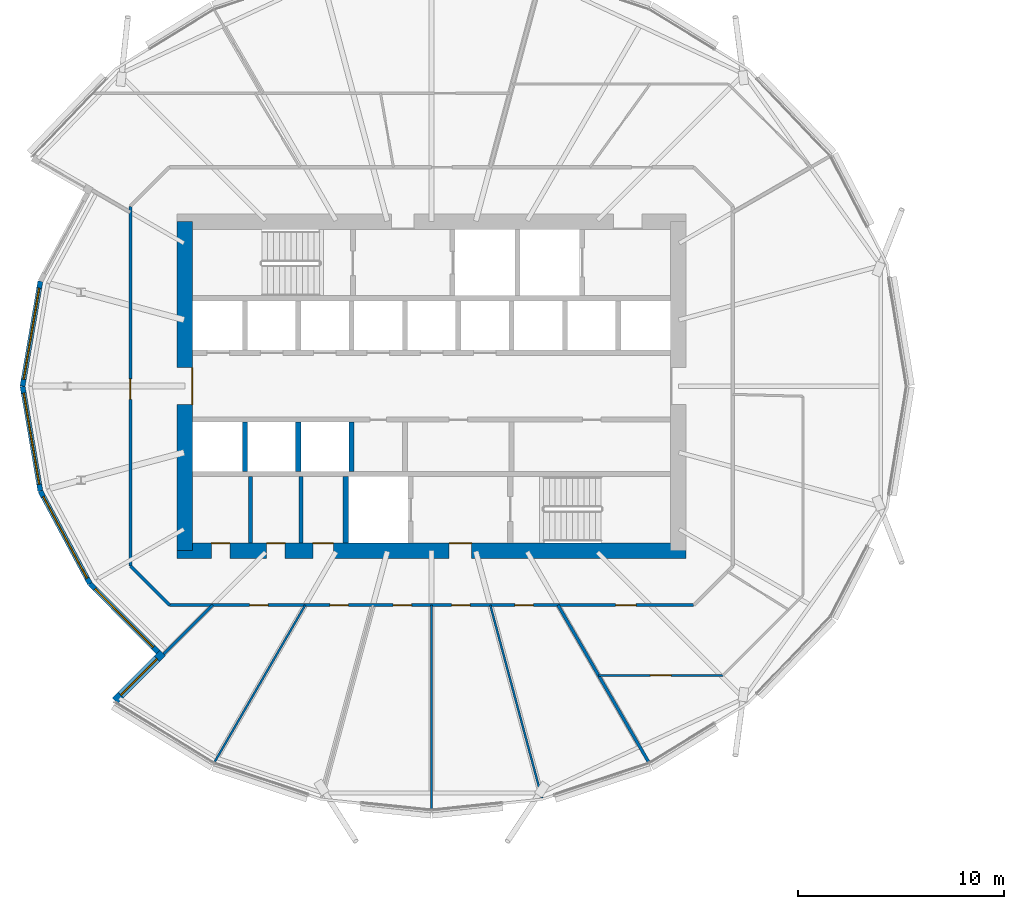
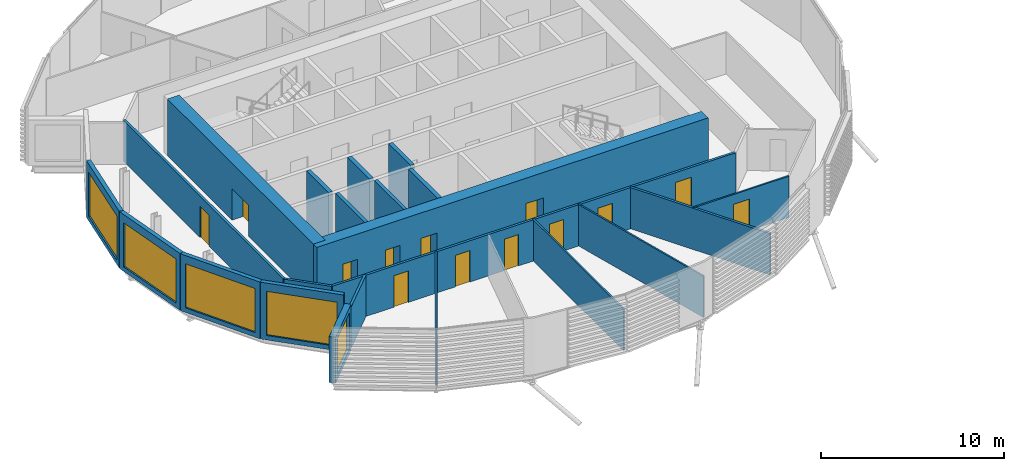
# One storey, part 20 of 38: 22 walls, 13 doors, 5 windows, 18 openings.
"""IFC4 building model written with IfcOpenShell, lengths in metres."""

import ifcopenshell
import ifcopenshell.guid

model = None  # the IFC model being written
_history = None  # IfcOwnerHistory: only IFC2X3 demands one
_inside = {}  # id of a spatial element -> (the spatial element, [elements in it])
_under = {}  # id of a project, library or spatial element -> (it, [spatial elements below it])
_declared = {}  # id of a project -> (the project, [libraries it declares])
_typed = {}  # id of a type object -> (the type object, [elements of that type])
_made_of = {}  # id of a material, layer set ... -> (it, [elements and type objects made of it])


def new_model(schema):
    """Start an empty IFC model of exactly this schema.

    Asked for "IFC4X3", IfcOpenShell would pick the latest addendum, in which some entities
    have other attributes; the version numbers below select the first issue.
    IFC2X3 requires an IfcOwnerHistory on every rooted entity: one is made here for all.
    """
    global model, _history
    if schema == "IFC4X3":
        model = ifcopenshell.file(schema_version=(4, 3, 0, 0))
    else:
        model = ifcopenshell.file(schema=schema)
    _inside.clear()
    _under.clear()
    _declared.clear()
    _typed.clear()
    _made_of.clear()
    _history = None
    if model.schema == "IFC2X3":
        org = make("IfcOrganization", Name="unknown")
        user = make(
            "IfcPersonAndOrganization",
            ThePerson=make("IfcPerson", FamilyName="unknown"),
            TheOrganization=org,
        )
        app = make(
            "IfcApplication",
            ApplicationDeveloper=org,
            Version="unknown",
            ApplicationFullName="unknown",
            ApplicationIdentifier="unknown",
        )
        _history = make(
            "IfcOwnerHistory",
            OwningUser=user,
            OwningApplication=app,
            ChangeAction="ADDED",
            CreationDate=0,
        )
    return model


def make(cls, **values):
    """One entity of the class cls with the attributes given. An attribute that is None is left unset."""
    return model.create_entity(
        cls, **{name: value for name, value in values.items() if value is not None}
    )


def rooted(cls, **values):
    """An entity with a GlobalId (a new one), such as an element, a storey or a relation."""
    return make(cls, GlobalId=ifcopenshell.guid.new(), OwnerHistory=_history, **values)


def si_unit(unit_type, name, prefix=None):
    """IfcSIUnit, for example si_unit("LENGTHUNIT", "METRE", prefix="MILLI")."""
    return make("IfcSIUnit", UnitType=unit_type, Prefix=prefix, Name=name)


def assignment(units):
    """IfcUnitAssignment: the units of a project."""
    return None if units is None else make("IfcUnitAssignment", Units=units)


def point(xyz):
    """IfcCartesianPoint."""
    return None if xyz is None else make("IfcCartesianPoint", Coordinates=xyz)


def direction(xyz):
    """IfcDirection."""
    return None if xyz is None else make("IfcDirection", DirectionRatios=xyz)


def frame(location, z_axis=None, x_axis=None):
    """IfcAxis2Placement3D, a coordinate frame: its origin and axes. An axis left out is left unset."""
    return make(
        "IfcAxis2Placement3D",
        Location=point(location),
        Axis=direction(z_axis),
        RefDirection=direction(x_axis),
    )


def frame_2d(location, x_axis=None):
    """IfcAxis2Placement2D, a coordinate frame in the plane: its origin and x axis."""
    return make(
        "IfcAxis2Placement2D", Location=point(location), RefDirection=direction(x_axis)
    )


def origin():
    """The frame at (0, 0, 0) with its axes left unset."""
    return frame((0.0, 0.0, 0.0))


def place(relative_to, where):
    """IfcLocalPlacement: puts the frame where relative to a parent placement (None: the world)."""
    return make(
        "IfcLocalPlacement", PlacementRelTo=relative_to, RelativePlacement=where
    )


def context(
    kind, dimensions, precision=None, world=None, true_north=None, identifier=None
):
    """IfcGeometricRepresentationContext, for example the 3D "Model" context."""
    return make(
        "IfcGeometricRepresentationContext",
        ContextIdentifier=identifier,
        ContextType=kind,
        CoordinateSpaceDimension=dimensions,
        Precision=precision,
        WorldCoordinateSystem=world,
        TrueNorth=true_north,
    )


def subcontext(parent, identifier, kind, view, scale=None):
    """IfcGeometricRepresentationSubContext, for example "Body" below "Model"."""
    return make(
        "IfcGeometricRepresentationSubContext",
        ContextIdentifier=identifier,
        ContextType=kind,
        ParentContext=parent,
        TargetScale=scale,
        TargetView=view,
    )


def project(units=None, contexts=None):
    """IfcProject with its units and contexts."""
    return rooted(
        "IfcProject",
        Name="project",
        RepresentationContexts=contexts,
        UnitsInContext=assignment(units),
    )


def spatial(cls, under=None, at=None, **own):
    """A site, building, storey or space (cls), placed at a placement, below another one or the project."""
    s = rooted(cls, ObjectPlacement=at, **own)
    if under is not None:
        _under.setdefault(under.id(), (under, []))[1].append(s)
    return s


def profile(cls, at=None, kind="AREA", **sizes):
    """A parametric profile (cls). Its sizes go by their IFC names, for example OverallWidth=200.0."""
    return make(cls, ProfileType=kind, Position=at, **sizes)


def rectangle(**sizes):
    """IfcRectangleProfileDef."""
    return profile("IfcRectangleProfileDef", **sizes)


def extrude(swept, where, along, depth):
    """IfcExtrudedAreaSolid: the profile swept, set in the frame where, extruded along a direction by depth."""
    return make(
        "IfcExtrudedAreaSolid",
        SweptArea=swept,
        Position=where,
        ExtrudedDirection=direction(along),
        Depth=depth,
    )


def shape(context_of_items, identifier, shape_type, items):
    """IfcShapeRepresentation: the items that make up one representation, for example the "Body"."""
    return make(
        "IfcShapeRepresentation",
        ContextOfItems=context_of_items,
        RepresentationIdentifier=identifier,
        RepresentationType=shape_type,
        Items=items,
    )


def material(Name=None, Category=None):
    """IfcMaterial."""
    return make("IfcMaterial", Name=Name, Category=Category)


def layer(
    of_material, thickness, ventilated=None, Name=None, Category=None, Priority=None
):
    """IfcMaterialLayer: one layer of a wall or slab, of a material (None: an air gap)."""
    return make(
        "IfcMaterialLayer",
        Material=of_material,
        LayerThickness=thickness,
        IsVentilated=ventilated,
        Name=Name,
        Category=Category,
        Priority=Priority,
    )


def layer_set(layers, Name=None):
    """IfcMaterialLayerSet."""
    return make("IfcMaterialLayerSet", MaterialLayers=layers, LayerSetName=Name)


def made_of(thing, what):
    """Note that an element or type object is made of a material, layer set ...; save() writes the relation."""
    if what is not None:
        _made_of.setdefault(what.id(), (what, []))[1].append(thing)
    return thing


def type_object(cls, material=None, **own):
    """A type object (cls), such as IfcWallType, which elements share."""
    return made_of(rooted(cls, **own), material)


def element(
    cls,
    number,
    at=None,
    inside=None,
    cuts=None,
    type_object=None,
    material=None,
    context=None,
    identifier="Body",
    shape_type=None,
    held_by="IfcProductDefinitionShape",
    body=None,
    shapes=None,
    **own,
):
    """One element of the class cls, such as IfcWall. Its Tag is "e" and its number.

    at: its placement. inside: the storey or other place that contains it. cuts: it is an
    opening in that element (IfcRelVoidsElement). A single representation is given by context,
    identifier, shape_type and body (its items); several are given by shapes. held_by: the class
    of the entity that holds the representations. save() writes the other relations.
    """
    e = rooted(cls, Tag="e%d" % number, ObjectPlacement=at, **own)
    if body is not None:
        shapes = [shape(context, identifier, shape_type, body)]
    if shapes is not None:
        e.Representation = make(held_by, Representations=shapes)
    if inside is not None:
        _inside.setdefault(inside.id(), (inside, []))[1].append(e)
    if cuts is not None:
        rooted(
            "IfcRelVoidsElement", RelatingBuildingElement=cuts, RelatedOpeningElement=e
        )
    if type_object is not None:
        _typed.setdefault(type_object.id(), (type_object, []))[1].append(e)
    return made_of(e, material)


def fill(opening, filler):
    """IfcRelFillsElement: the door or window that sits in an opening."""
    return rooted(
        "IfcRelFillsElement",
        RelatingOpeningElement=opening,
        RelatedBuildingElement=filler,
    )


def aggregate(whole, parts):
    """IfcRelAggregates: a whole, such as a stair, and the parts it consists of."""
    return rooted("IfcRelAggregates", RelatingObject=whole, RelatedObjects=parts)


def save(model, path):
    """Write the relations noted so far, then the file.

    IfcRelAggregates (storeys below a building ...), IfcRelContainedInSpatialStructure (elements
    in a storey), IfcRelDefinesByType, IfcRelAssociatesMaterial and IfcRelDeclares: one each for
    every whole, place, type object, material and project.
    """
    for whole, parts in _under.values():
        aggregate(whole, parts)
    for where, things in _inside.values():
        rooted(
            "IfcRelContainedInSpatialStructure",
            RelatedElements=things,
            RelatingStructure=where,
        )
    for kind, things in _typed.values():
        rooted("IfcRelDefinesByType", RelatedObjects=things, RelatingType=kind)
    for what, things in _made_of.values():
        rooted("IfcRelAssociatesMaterial", RelatedObjects=things, RelatingMaterial=what)
    for by, libraries in _declared.values():
        rooted("IfcRelDeclares", RelatingContext=by, RelatedDefinitions=libraries)
    model.write(path)


model = new_model("IFC4")

# Units and contexts
model_context = context("Model", 3, precision=1e-05, world=origin(), true_north=direction((0.0, 1.0)))
body_context = subcontext(model_context, "Body", "Model", "MODEL_VIEW")
ifc_project = project(units=[si_unit("LENGTHUNIT", "METRE"), si_unit("AREAUNIT", "SQUARE_METRE"), si_unit("VOLUMEUNIT", "CUBIC_METRE"), si_unit("PLANEANGLEUNIT", "RADIAN"), si_unit("MASSUNIT", "GRAM", prefix="KILO")], contexts=[model_context])

# Site, building, storey
site_placement = place(None, origin())
site = spatial("IfcSite", under=ifc_project, at=site_placement, CompositionType="ELEMENT")
building_placement = place(site_placement, origin())
building = spatial("IfcBuilding", under=site, at=building_placement, Name="Rimbun Link Towers", CompositionType="ELEMENT")
storey_placement = place(building_placement, frame((0.0, 0.0, 123.39990234375)))
storey = spatial("IfcBuildingStorey", under=building, at=storey_placement, Name="L30", CompositionType="ELEMENT", Elevation=123.39990234375)

# Wall, opening, window
ifc_material_1 = material(Name="Dark enamelled glass spandrel on insulated aluminium backpan", Category="aluminium")
ifc_layer_1 = layer(ifc_material_1, 0.25)
ifc_layer_set_1 = layer_set([ifc_layer_1], Name="CS dark enamelled spandrel wall 250")
wall_type_1 = type_object("IfcWallType", Name="CS dark enamelled spandrel wall 250", PredefinedType="STANDARD", material=ifc_layer_set_1)
wall_1_placement = place(storey_placement, frame((-51.647705078125, 0.0, 0.0), z_axis=(0.0, 0.0, 1.0), x_axis=(0.167561603855, 0.985861607384, 0.0)))
wall_1 = element("IfcWall", 1, at=wall_1_placement, inside=storey, type_object=wall_type_1, Name="Crease spandrel wall", PredefinedType="STANDARD", context=body_context, shape_type="SweptSolid", body=[
    extrude(rectangle(XDim=5.18115234375, YDim=0.25, at=frame_2d((2.590576171875, 0.0))), origin(), (0.0, 0.0, 1.0), 3.800048828125),
])
opening_1_placement = place(wall_1_placement, frame((0.340576171875, 0.0, 0.300048828125)))
opening_1 = element("IfcOpeningElement", 2, at=opening_1_placement, cuts=wall_1, Name="Opening WR45H295", PredefinedType="OPENING", context=body_context, shape_type="SweptSolid", body=[
    extrude(rectangle(XDim=4.5, YDim=2.949951171875, at=frame_2d((2.25, 1.47509765625))), frame((0.0, 0.135009765625, 0.0), z_axis=(0.0, -1.0, 0.0), x_axis=(1.0, 0.0, 0.0)), (0.0, 0.0, 1.0), 0.27001953125),
])
ifc_material_2 = material(Name="Aluminium framed fixed window, dark tinted low-e glass", Category="aluminium")
window_type_1 = type_object("IfcWindowType", Name="WR ribbon window 4500X2950", PartitioningType="SINGLE_PANEL", PredefinedType="WINDOW", material=ifc_material_2)
window_1_placement = place(opening_1_placement, origin())
window_1 = element("IfcWindow", 3, at=window_1_placement, inside=storey, type_object=window_type_1, Name="Crease ribbon window", OverallHeight=2.949951171875, OverallWidth=4.5, PartitioningType="SINGLE_PANEL", PredefinedType="WINDOW", context=body_context, shape_type="SweptSolid", body=[
    extrude(rectangle(XDim=4.5, YDim=2.949951171875, at=frame_2d((2.25, 1.47509765625))), frame((0.0, 0.030029296875, 0.0), z_axis=(0.0, -1.0, 0.0), x_axis=(1.0, 0.0, 0.0)), (0.0, 0.0, 1.0), 0.06005859375),
])
fill(opening_1, window_1)

wall_2_placement = place(storey_placement, frame((-50.779541015625, -5.10791015625, 0.0), z_axis=(0.0, 0.0, 1.0), x_axis=(-0.167561603855, 0.985861607384, 0.0)))
wall_2 = element("IfcWall", 4, at=wall_2_placement, inside=storey, type_object=wall_type_1, Name="Crease spandrel wall", PredefinedType="STANDARD", context=body_context, shape_type="SweptSolid", body=[
    extrude(rectangle(XDim=5.18115234375, YDim=0.25, at=frame_2d((2.590576171875, 0.0))), origin(), (0.0, 0.0, 1.0), 3.800048828125),
])
opening_2_placement = place(wall_2_placement, frame((0.340576171875, 0.0, 0.300048828125)))
opening_2 = element("IfcOpeningElement", 5, at=opening_2_placement, cuts=wall_2, Name="Opening WR45H295", PredefinedType="OPENING", context=body_context, shape_type="SweptSolid", body=[
    extrude(rectangle(XDim=4.5, YDim=2.949951171875, at=frame_2d((2.25, 1.47509765625))), frame((0.0, 0.135009765625, 0.0), z_axis=(0.0, -1.0, 0.0), x_axis=(1.0, 0.0, 0.0)), (0.0, 0.0, 1.0), 0.27001953125),
])
window_2_placement = place(opening_2_placement, origin())
window_2 = element("IfcWindow", 6, at=window_2_placement, inside=storey, type_object=window_type_1, Name="Crease ribbon window", OverallHeight=2.949951171875, OverallWidth=4.5, PartitioningType="SINGLE_PANEL", PredefinedType="WINDOW", context=body_context, shape_type="SweptSolid", body=[
    extrude(rectangle(XDim=4.5, YDim=2.949951171875, at=frame_2d((2.25, 1.47509765625))), frame((0.0, 0.030029296875, 0.0), z_axis=(0.0, -1.0, 0.0), x_axis=(1.0, 0.0, 0.0)), (0.0, 0.0, 1.0), 0.06005859375),
])
fill(opening_2, window_2)

wall_3_placement = place(storey_placement, frame((-48.3671875, -9.610595703125, 0.0), z_axis=(0.0, 0.0, 1.0), x_axis=(-0.472251916987, 0.881463627668, 0.0)))
wall_3 = element("IfcWall", 7, at=wall_3_placement, inside=storey, type_object=wall_type_1, Name="Crease spandrel wall", PredefinedType="STANDARD", context=body_context, shape_type="SweptSolid", body=[
    extrude(rectangle(XDim=5.108154296875, YDim=0.25, at=frame_2d((2.55419921875, 0.0))), origin(), (0.0, 0.0, 1.0), 3.800048828125),
])
opening_3_placement = place(wall_3_placement, frame((0.303955078125, 0.0, 0.300048828125)))
opening_3 = element("IfcOpeningElement", 8, at=opening_3_placement, cuts=wall_3, Name="Opening WR45H295", PredefinedType="OPENING", context=body_context, shape_type="SweptSolid", body=[
    extrude(rectangle(XDim=4.5, YDim=2.949951171875, at=frame_2d((2.25, 1.47509765625))), frame((0.0, 0.135009765625, 0.0), z_axis=(0.0, -1.0, 0.0), x_axis=(1.0, 0.0, 0.0)), (0.0, 0.0, 1.0), 0.27001953125),
])
window_3_placement = place(opening_3_placement, origin())
window_3 = element("IfcWindow", 9, at=window_3_placement, inside=storey, type_object=window_type_1, Name="Crease ribbon window", OverallHeight=2.949951171875, OverallWidth=4.5, PartitioningType="SINGLE_PANEL", PredefinedType="WINDOW", context=body_context, shape_type="SweptSolid", body=[
    extrude(rectangle(XDim=4.5, YDim=2.949951171875, at=frame_2d((2.25, 1.47509765625))), frame((0.0, 0.030029296875, 0.0), z_axis=(0.0, -1.0, 0.0), x_axis=(1.0, 0.0, 0.0)), (0.0, 0.0, 1.0), 0.06005859375),
])
fill(opening_3, window_3)

wall_4_placement = place(storey_placement, frame((-45.047119140625, -12.943359375, 0.0), z_axis=(0.0, 0.0, 1.0), x_axis=(-0.705756154821, 0.708454832669, 0.0)))
wall_4 = element("IfcWall", 10, at=wall_4_placement, inside=storey, type_object=wall_type_1, Name="Crease spandrel wall", PredefinedType="STANDARD", context=body_context, shape_type="SweptSolid", body=[
    extrude(rectangle(XDim=4.704345703125, YDim=0.25, at=frame_2d((2.35205078125, 0.0))), origin(), (0.0, 0.0, 1.0), 3.800048828125),
])
opening_4_placement = place(wall_4_placement, frame((0.352294921875, 0.0, 0.300048828125)))
opening_4 = element("IfcOpeningElement", 11, at=opening_4_placement, cuts=wall_4, Name="Opening WR40H295", PredefinedType="OPENING", context=body_context, shape_type="SweptSolid", body=[
    extrude(rectangle(XDim=4.0, YDim=2.949951171875, at=frame_2d((2.0, 1.47509765625))), frame((0.0, 0.135009765625, 0.0), z_axis=(0.0, -1.0, 0.0), x_axis=(1.0, 0.0, 0.0)), (0.0, 0.0, 1.0), 0.27001953125),
])
ifc_material_3 = material(Name="Aluminium framed fixed window, dark tinted low-e glass", Category="aluminium")
window_type_2 = type_object("IfcWindowType", Name="WR ribbon window 4000X2950", PartitioningType="SINGLE_PANEL", PredefinedType="WINDOW", material=ifc_material_3)
window_4_placement = place(opening_4_placement, origin())
window_4 = element("IfcWindow", 12, at=window_4_placement, inside=storey, type_object=window_type_2, Name="Crease ribbon window", OverallHeight=2.949951171875, OverallWidth=4.0, PartitioningType="SINGLE_PANEL", PredefinedType="WINDOW", context=body_context, shape_type="SweptSolid", body=[
    extrude(rectangle(XDim=4.0, YDim=2.949951171875, at=frame_2d((2.0, 1.47509765625))), frame((0.0, 0.030029296875, 0.0), z_axis=(0.0, -1.0, 0.0), x_axis=(1.0, 0.0, 0.0)), (0.0, 0.0, 1.0), 0.06005859375),
])
fill(opening_4, window_4)

ifc_material_4 = material(Name="Dark enamelled glass spandrel on insulated aluminium backpan", Category="aluminium")
ifc_layer_2 = layer(ifc_material_4, 0.3701171875)
ifc_layer_set_2 = layer_set([ifc_layer_2], Name="CS dark enamelled spandrel wall 370")
wall_type_2 = type_object("IfcWallType", Name="CS dark enamelled spandrel wall 370", PredefinedType="STANDARD", material=ifc_layer_set_2)
wall_5_placement = place(storey_placement, frame((-47.1474609375, -15.305419921875, 0.0), z_axis=(0.0, 0.0, 1.0), x_axis=(0.707143998312, 0.707069562102, 0.0)))
wall_5 = element("IfcWall", 13, at=wall_5_placement, inside=storey, type_object=wall_type_2, Name="Crease spandrel wall", PredefinedType="STANDARD", context=body_context, shape_type="SweptSolid", body=[
    extrude(rectangle(XDim=3.27978515625, YDim=0.3701171875, at=frame_2d((1.639892578125, 0.0))), origin(), (0.0, 0.0, 1.0), 3.0771484375),
])
opening_5_placement = place(wall_5_placement, frame((0.389892578125, 0.0, 0.300048828125)))
opening_5 = element("IfcOpeningElement", 14, at=opening_5_placement, cuts=wall_5, Name="Opening WR25H245", PredefinedType="OPENING", context=body_context, shape_type="SweptSolid", body=[
    extrude(rectangle(XDim=2.5, YDim=2.449951171875, at=frame_2d((1.25, 1.22509765625))), frame((0.0, 0.195068359375, 0.0), z_axis=(0.0, -1.0, 0.0), x_axis=(1.0, 0.0, 0.0)), (0.0, 0.0, 1.0), 0.39013671875),
])
ifc_material_5 = material(Name="Aluminium framed fixed window, dark tinted low-e glass", Category="aluminium")
window_type_3 = type_object("IfcWindowType", Name="WR ribbon window 2500X2450", PartitioningType="SINGLE_PANEL", PredefinedType="WINDOW", material=ifc_material_5)
window_5_placement = place(opening_5_placement, origin())
window_5 = element("IfcWindow", 15, at=window_5_placement, inside=storey, type_object=window_type_3, Name="Crease ribbon window", OverallHeight=2.449951171875, OverallWidth=2.5, PartitioningType="SINGLE_PANEL", PredefinedType="WINDOW", context=body_context, shape_type="SweptSolid", body=[
    extrude(rectangle(XDim=2.5, YDim=2.449951171875, at=frame_2d((1.25, 1.22509765625))), frame((0.0, 0.030029296875, 0.0), z_axis=(0.0, -1.0, 0.0), x_axis=(1.0, 0.0, 0.0)), (0.0, 0.0, 1.0), 0.06005859375),
])
fill(opening_5, window_5)

# Walls
ifc_material_6 = material(Name="Masonry blockwork", Category="masonry")
ifc_layer_3 = layer(ifc_material_6, 0.199951171875)
ifc_layer_set_3 = layer_set([ifc_layer_3], Name="Core partition 200")
wall_type_3 = type_object("IfcWallType", Name="Core partition 200", PredefinedType="PARTITIONING", material=ifc_layer_set_3)
for number, where, z_axis, x_axis, name in (
    (16, (-40.550048828125, -4.39990234375, 0.0), (0.0, 0.0, 1.0), (0.0, -1.0, 0.0), "L30 T1 core wall C1"),
    (17, (-38.10009765625, -4.39990234375, 0.0), (0.0, 0.0, 1.0), (0.0, -1.0, 0.0), "L30 T1 core wall C2"),
):
    element("IfcWall", number, at=place(storey_placement, frame(where, z_axis=z_axis, x_axis=x_axis)), inside=storey, type_object=wall_type_3, Name=name, PredefinedType="PARTITIONING", context=body_context, shape_type="SweptSolid", body=[
        extrude(rectangle(XDim=3.22509765625, YDim=0.199951171875, at=frame_2d((1.612548828125, 0.0))), origin(), (0.0, 0.0, 1.0), 3.800048828125),
    ])

# Wall, openings, doors
ifc_material_7 = material(Name="Concrete C60/75", Category="concrete")
ifc_layer_4 = layer(ifc_material_7, 0.75)
ifc_layer_set_4 = layer_set([ifc_layer_4], Name="Core shear wall 750")
wall_type_4 = type_object("IfcWallType", Name="Core shear wall 750", PredefinedType="SHEAR", material=ifc_layer_set_4)
wall_6_placement = place(storey_placement, frame((-44.125, -8.0, 0.0), z_axis=(0.0, 0.0, 1.0), x_axis=(1.0, 0.0, 0.0)))
wall_6 = element("IfcWall", 18, at=wall_6_placement, inside=storey, type_object=wall_type_4, Name="L30 T1 core wall S", PredefinedType="SHEAR", context=body_context, shape_type="SweptSolid", body=[
    extrude(rectangle(XDim=24.75, YDim=0.75, at=frame_2d((12.375, 0.0))), origin(), (0.0, 0.0, 1.0), 3.800048828125),
])
opening_6_placement = place(wall_6_placement, frame((13.22509765625, 0.0, 0.0)))
opening_6 = element("IfcOpeningElement", 19, at=opening_6_placement, cuts=wall_6, Name="Opening C1DCF01S", PredefinedType="OPENING", context=body_context, shape_type="SweptSolid", body=[
    extrude(rectangle(XDim=1.10009765625, YDim=2.10009765625, at=frame_2d((0.550048828125, 1.050048828125))), frame((0.0, 0.385009765625, 0.0), z_axis=(0.0, -1.0, 0.0), x_axis=(1.0, 0.0, 0.0)), (0.0, 0.0, 1.0), 0.77001953125),
])
opening_7_placement = place(wall_6_placement, frame((1.66259765625, 0.0, 0.0)))
opening_7 = element("IfcOpeningElement", 20, at=opening_7_placement, cuts=wall_6, Name="Opening C1DWC02S", PredefinedType="OPENING", context=body_context, shape_type="SweptSolid", body=[
    extrude(rectangle(XDim=0.89990234375, YDim=2.10009765625, at=frame_2d((0.449951171875, 1.050048828125))), frame((0.0, 0.385009765625, 0.0), z_axis=(0.0, -1.0, 0.0), x_axis=(1.0, 0.0, 0.0)), (0.0, 0.0, 1.0), 0.77001953125),
])
opening_8_placement = place(wall_6_placement, frame((4.35009765625, 0.0, 0.0)))
opening_8 = element("IfcOpeningElement", 21, at=opening_8_placement, cuts=wall_6, Name="Opening C1DWC03S", PredefinedType="OPENING", context=body_context, shape_type="SweptSolid", body=[
    extrude(rectangle(XDim=0.89990234375, YDim=2.10009765625, at=frame_2d((0.449951171875, 1.050048828125))), frame((0.0, 0.385009765625, 0.0), z_axis=(0.0, -1.0, 0.0), x_axis=(1.0, 0.0, 0.0)), (0.0, 0.0, 1.0), 0.77001953125),
])
opening_9_placement = place(wall_6_placement, frame((6.60009765625, 0.0, 0.0)))
opening_9 = element("IfcOpeningElement", 22, at=opening_9_placement, cuts=wall_6, Name="Opening C1DAW04S", PredefinedType="OPENING", context=body_context, shape_type="SweptSolid", body=[
    extrude(rectangle(XDim=1.0, YDim=2.10009765625, at=frame_2d((0.5, 1.050048828125))), frame((0.0, 0.385009765625, 0.0), z_axis=(0.0, -1.0, 0.0), x_axis=(1.0, 0.0, 0.0)), (0.0, 0.0, 1.0), 0.77001953125),
])
ifc_material_8 = material(Name="Timber", Category="wood")
door_type_1 = type_object("IfcDoorType", Name="Accessible WC door", OperationType="SINGLE_SWING_LEFT", PredefinedType="DOOR", material=ifc_material_8)
door_1_placement = place(opening_9_placement, origin())
door_1 = element("IfcDoor", 23, at=door_1_placement, inside=storey, type_object=door_type_1, Name="L30 T1 accessible wc door", OperationType="SINGLE_SWING_LEFT", OverallHeight=2.10009765625, OverallWidth=1.0, PredefinedType="DOOR", context=body_context, shape_type="SweptSolid", body=[
    extrude(rectangle(XDim=1.0, YDim=2.10009765625, at=frame_2d((0.5, 1.050048828125))), frame((0.0, 0.375, 0.0), z_axis=(0.0, -1.0, 0.0), x_axis=(1.0, 0.0, 0.0)), (0.0, 0.0, 1.0), 0.050048828125),
])
fill(opening_9, door_1)
ifc_material_9 = material(Name="Steel fire door set", Category="steel")
door_type_2 = type_object("IfcDoorType", Name="Core fire door single", OperationType="SINGLE_SWING_LEFT", PredefinedType="DOOR", material=ifc_material_9)
door_2_placement = place(opening_6_placement, origin())
door_2 = element("IfcDoor", 24, at=door_2_placement, inside=storey, type_object=door_type_2, Name="L30 T1 firefighting lobby s door", OperationType="SINGLE_SWING_RIGHT", OverallHeight=2.10009765625, OverallWidth=1.10009765625, PredefinedType="DOOR", context=body_context, shape_type="SweptSolid", body=[
    extrude(rectangle(XDim=1.10009765625, YDim=2.10009765625, at=frame_2d((0.550048828125, 1.050048828125))), frame((0.0, 0.375, 0.0), z_axis=(0.0, -1.0, 0.0), x_axis=(1.0, 0.0, 0.0)), (0.0, 0.0, 1.0), 0.050048828125),
])
fill(opening_6, door_2)
ifc_material_10 = material(Name="Timber", Category="wood")
door_type_3 = type_object("IfcDoorType", Name="WC door", OperationType="SINGLE_SWING_LEFT", PredefinedType="DOOR", material=ifc_material_10)
door_3_placement = place(opening_7_placement, origin())
door_3 = element("IfcDoor", 25, at=door_3_placement, inside=storey, type_object=door_type_3, Name="L30 T1 male wc door", OperationType="SINGLE_SWING_RIGHT", OverallHeight=2.10009765625, OverallWidth=0.89990234375, PredefinedType="DOOR", context=body_context, shape_type="SweptSolid", body=[
    extrude(rectangle(XDim=0.89990234375, YDim=2.10009765625, at=frame_2d((0.449951171875, 1.050048828125))), frame((0.0, 0.375, 0.0), z_axis=(0.0, -1.0, 0.0), x_axis=(1.0, 0.0, 0.0)), (0.0, 0.0, 1.0), 0.050048828125),
])
fill(opening_7, door_3)
door_4_placement = place(opening_8_placement, origin())
door_4 = element("IfcDoor", 26, at=door_4_placement, inside=storey, type_object=door_type_3, Name="L30 T1 female wc door", OperationType="SINGLE_SWING_RIGHT", OverallHeight=2.10009765625, OverallWidth=0.89990234375, PredefinedType="DOOR", context=body_context, shape_type="SweptSolid", body=[
    extrude(rectangle(XDim=0.89990234375, YDim=2.10009765625, at=frame_2d((0.449951171875, 1.050048828125))), frame((0.0, 0.375, 0.0), z_axis=(0.0, -1.0, 0.0), x_axis=(1.0, 0.0, 0.0)), (0.0, 0.0, 1.0), 0.050048828125),
])
fill(opening_8, door_4)

# Wall, opening, door
wall_7_placement = place(storey_placement, frame((-43.75, -8.0, 0.0), z_axis=(0.0, 0.0, 1.0), x_axis=(0.0, 1.0, 0.0)))
wall_7 = element("IfcWall", 27, at=wall_7_placement, inside=storey, type_object=wall_type_4, Name="L30 T1 core wall W", PredefinedType="SHEAR", context=body_context, shape_type="SweptSolid", body=[
    extrude(rectangle(XDim=16.0, YDim=0.75, at=frame_2d((8.0, 0.0))), origin(), (0.0, 0.0, 1.0), 3.800048828125),
])
opening_10_placement = place(wall_7_placement, frame((7.10009765625, 0.0, 0.0)))
opening_10 = element("IfcOpeningElement", 28, at=opening_10_placement, cuts=wall_7, Name="Opening C1DCL01W", PredefinedType="OPENING", context=body_context, shape_type="SweptSolid", body=[
    extrude(rectangle(XDim=1.800048828125, YDim=2.10009765625, at=frame_2d((0.89990234375, 1.050048828125))), frame((0.0, 0.385009765625, 0.0), z_axis=(0.0, -1.0, 0.0), x_axis=(1.0, 0.0, 0.0)), (0.0, 0.0, 1.0), 0.77001953125),
])
ifc_material_11 = material(Name="Steel fire door set", Category="steel")
door_type_4 = type_object("IfcDoorType", Name="Core lobby door double", OperationType="DOUBLE_DOOR_SINGLE_SWING", PredefinedType="DOOR", material=ifc_material_11)
door_5_placement = place(opening_10_placement, origin())
door_5 = element("IfcDoor", 29, at=door_5_placement, inside=storey, type_object=door_type_4, Name="L30 T1 lift lobby door", OperationType="DOUBLE_DOOR_SINGLE_SWING", OverallHeight=2.10009765625, OverallWidth=1.800048828125, PredefinedType="DOOR", context=body_context, shape_type="SweptSolid", body=[
    extrude(rectangle(XDim=1.800048828125, YDim=2.10009765625, at=frame_2d((0.89990234375, 1.050048828125))), frame((0.0, -0.3251953125, 0.0), z_axis=(0.0, -1.0, 0.0), x_axis=(1.0, 0.0, 0.0)), (0.0, 0.0, 1.0), 0.050048828125),
])
fill(opening_10, door_5)

# Wall, openings, doors
ifc_material_12 = material(Name="Plasterboard on steel stud, mineral wool", Category="steel")
ifc_layer_5 = layer(ifc_material_12, 0.14990234375)
ifc_layer_set_5 = layer_set([ifc_layer_5], Name="Corridor wall EI 30 150 mm")
wall_type_5 = type_object("IfcWallType", Name="Corridor wall EI 30 150 mm", PredefinedType="PARTITIONING", material=ifc_layer_set_5)
wall_8_placement = place(storey_placement, frame((-18.998291015625, -10.64990234375, 0.0), z_axis=(0.0, 0.0, 1.0), x_axis=(-1.0, 0.0, 0.0)))
wall_8 = element("IfcWall", 30, at=wall_8_placement, inside=storey, type_object=wall_type_5, Name="Corridor wall EI 30 150 mm", PredefinedType="PARTITIONING", context=body_context, shape_type="SweptSolid", body=[
    extrude(rectangle(XDim=25.50341796875, YDim=0.14990234375, at=frame_2d((12.751708984375, 0.0))), origin(), (0.0, 0.0, 1.0), 2.759033203125),
])
opening_11_placement = place(wall_8_placement, frame((20.701171875, 0.0, 0.0)))
opening_11 = element("IfcOpeningElement", 31, at=opening_11_placement, cuts=wall_8, Name="Opening D02", PredefinedType="OPENING", context=body_context, shape_type="SweptSolid", body=[
    extrude(rectangle(XDim=0.89990234375, YDim=2.10009765625, at=frame_2d((0.449951171875, 1.050048828125))), frame((0.0, 0.0849609375, 0.0), z_axis=(0.0, -1.0, 0.0), x_axis=(1.0, 0.0, 0.0)), (0.0, 0.0, 1.0), 0.169921875),
])
opening_12_placement = place(wall_8_placement, frame((16.802978515625, 0.0, 0.0)))
opening_12 = element("IfcOpeningElement", 32, at=opening_12_placement, cuts=wall_8, Name="Opening D02", PredefinedType="OPENING", context=body_context, shape_type="SweptSolid", body=[
    extrude(rectangle(XDim=0.89990234375, YDim=2.10009765625, at=frame_2d((0.449951171875, 1.050048828125))), frame((0.0, 0.0849609375, 0.0), z_axis=(0.0, -1.0, 0.0), x_axis=(1.0, 0.0, 0.0)), (0.0, 0.0, 1.0), 0.169921875),
])
opening_13_placement = place(wall_8_placement, frame((13.728515625, 0.0, 0.0)))
opening_13 = element("IfcOpeningElement", 33, at=opening_13_placement, cuts=wall_8, Name="Opening D02", PredefinedType="OPENING", context=body_context, shape_type="SweptSolid", body=[
    extrude(rectangle(XDim=0.89990234375, YDim=2.10009765625, at=frame_2d((0.449951171875, 1.050048828125))), frame((0.0, 0.0849609375, 0.0), z_axis=(0.0, -1.0, 0.0), x_axis=(1.0, 0.0, 0.0)), (0.0, 0.0, 1.0), 0.169921875),
])
opening_14_placement = place(wall_8_placement, frame((10.875, 0.0, 0.0)))
opening_14 = element("IfcOpeningElement", 34, at=opening_14_placement, cuts=wall_8, Name="Opening D02", PredefinedType="OPENING", context=body_context, shape_type="SweptSolid", body=[
    extrude(rectangle(XDim=0.89990234375, YDim=2.10009765625, at=frame_2d((0.449951171875, 1.050048828125))), frame((0.0, 0.0849609375, 0.0), z_axis=(0.0, -1.0, 0.0), x_axis=(1.0, 0.0, 0.0)), (0.0, 0.0, 1.0), 0.169921875),
])
opening_15_placement = place(wall_8_placement, frame((7.800537109375, 0.0, 0.0)))
opening_15 = element("IfcOpeningElement", 35, at=opening_15_placement, cuts=wall_8, Name="Opening D02", PredefinedType="OPENING", context=body_context, shape_type="SweptSolid", body=[
    extrude(rectangle(XDim=0.89990234375, YDim=2.10009765625, at=frame_2d((0.449951171875, 1.050048828125))), frame((0.0, 0.0849609375, 0.0), z_axis=(0.0, -1.0, 0.0), x_axis=(1.0, 0.0, 0.0)), (0.0, 0.0, 1.0), 0.169921875),
])
opening_16_placement = place(wall_8_placement, frame((2.801513671875, 0.0, 0.0)))
opening_16 = element("IfcOpeningElement", 36, at=opening_16_placement, cuts=wall_8, Name="Opening D01", PredefinedType="OPENING", context=body_context, shape_type="SweptSolid", body=[
    extrude(rectangle(XDim=1.0, YDim=2.10009765625, at=frame_2d((0.5, 1.050048828125))), frame((0.0, 0.0849609375, 0.0), z_axis=(0.0, -1.0, 0.0), x_axis=(1.0, 0.0, 0.0)), (0.0, 0.0, 1.0), 0.169921875),
])
ifc_material_13 = material(Name="Fire-resisting timber door leaf", Category="wood")
door_type_5 = type_object("IfcDoorType", Name="Fire door FD30S 1000", OperationType="NOTDEFINED", PredefinedType="DOOR", material=ifc_material_13)
door_6_placement = place(opening_16_placement, origin())
door_6 = element("IfcDoor", 37, at=door_6_placement, inside=storey, type_object=door_type_5, Name="Fire door FD30S 1000 to Reception", OperationType="SINGLE_SWING_RIGHT", OverallHeight=2.10009765625, OverallWidth=1.0, PredefinedType="DOOR", context=body_context, shape_type="SweptSolid", body=[
    extrude(rectangle(XDim=1.0, YDim=2.10009765625, at=frame_2d((0.5, 1.050048828125))), frame((0.0, 0.02490234375, 0.0), z_axis=(0.0, -1.0, 0.0), x_axis=(1.0, 0.0, 0.0)), (0.0, 0.0, 1.0), 0.050048828125),
])
fill(opening_16, door_6)
ifc_material_14 = material(Name="Fire-resisting timber door leaf", Category="wood")
door_type_6 = type_object("IfcDoorType", Name="Fire door FD30S 900", OperationType="NOTDEFINED", PredefinedType="DOOR", material=ifc_material_14)
door_7_placement = place(opening_11_placement, origin())
door_7 = element("IfcDoor", 38, at=door_7_placement, inside=storey, type_object=door_type_6, Name="Fire door FD30S 900 to Cellular office", OperationType="SINGLE_SWING_LEFT", OverallHeight=2.10009765625, OverallWidth=0.89990234375, PredefinedType="DOOR", context=body_context, shape_type="SweptSolid", body=[
    extrude(rectangle(XDim=0.89990234375, YDim=2.10009765625, at=frame_2d((0.449951171875, 1.050048828125))), frame((0.0, 0.02490234375, 0.0), z_axis=(0.0, -1.0, 0.0), x_axis=(1.0, 0.0, 0.0)), (0.0, 0.0, 1.0), 0.050048828125),
])
fill(opening_11, door_7)
door_8_placement = place(opening_12_placement, origin())
door_8 = element("IfcDoor", 39, at=door_8_placement, inside=storey, type_object=door_type_6, Name="Fire door FD30S 900 to Cellular office", OperationType="SINGLE_SWING_RIGHT", OverallHeight=2.10009765625, OverallWidth=0.89990234375, PredefinedType="DOOR", context=body_context, shape_type="SweptSolid", body=[
    extrude(rectangle(XDim=0.89990234375, YDim=2.10009765625, at=frame_2d((0.449951171875, 1.050048828125))), frame((0.0, 0.02490234375, 0.0), z_axis=(0.0, -1.0, 0.0), x_axis=(1.0, 0.0, 0.0)), (0.0, 0.0, 1.0), 0.050048828125),
])
fill(opening_12, door_8)
door_9_placement = place(opening_13_placement, origin())
door_9 = element("IfcDoor", 40, at=door_9_placement, inside=storey, type_object=door_type_6, Name="Fire door FD30S 900 to Cellular office", OperationType="SINGLE_SWING_LEFT", OverallHeight=2.10009765625, OverallWidth=0.89990234375, PredefinedType="DOOR", context=body_context, shape_type="SweptSolid", body=[
    extrude(rectangle(XDim=0.89990234375, YDim=2.10009765625, at=frame_2d((0.449951171875, 1.050048828125))), frame((0.0, 0.02490234375, 0.0), z_axis=(0.0, -1.0, 0.0), x_axis=(1.0, 0.0, 0.0)), (0.0, 0.0, 1.0), 0.050048828125),
])
fill(opening_13, door_9)
door_10_placement = place(opening_14_placement, origin())
door_10 = element("IfcDoor", 41, at=door_10_placement, inside=storey, type_object=door_type_6, Name="Fire door FD30S 900 to Cellular office", OperationType="SINGLE_SWING_RIGHT", OverallHeight=2.10009765625, OverallWidth=0.89990234375, PredefinedType="DOOR", context=body_context, shape_type="SweptSolid", body=[
    extrude(rectangle(XDim=0.89990234375, YDim=2.10009765625, at=frame_2d((0.449951171875, 1.050048828125))), frame((0.0, 0.02490234375, 0.0), z_axis=(0.0, -1.0, 0.0), x_axis=(1.0, 0.0, 0.0)), (0.0, 0.0, 1.0), 0.050048828125),
])
fill(opening_14, door_10)
door_11_placement = place(opening_15_placement, origin())
door_11 = element("IfcDoor", 42, at=door_11_placement, inside=storey, type_object=door_type_6, Name="Fire door FD30S 900 to Meeting room", OperationType="SINGLE_SWING_LEFT", OverallHeight=2.10009765625, OverallWidth=0.89990234375, PredefinedType="DOOR", context=body_context, shape_type="SweptSolid", body=[
    extrude(rectangle(XDim=0.89990234375, YDim=2.10009765625, at=frame_2d((0.449951171875, 1.050048828125))), frame((0.0, 0.02490234375, 0.0), z_axis=(0.0, -1.0, 0.0), x_axis=(1.0, 0.0, 0.0)), (0.0, 0.0, 1.0), 0.050048828125),
])
fill(opening_15, door_11)

# Wall
wall_9_placement = place(storey_placement, frame((-46.39990234375, -8.751708984375, 0.0), z_axis=(0.0, 0.0, 1.0), x_axis=(0.707106781187, -0.707106781187, 0.0)))
element("IfcWall", 43, at=wall_9_placement, inside=storey, type_object=wall_type_5, Name="Corridor wall EI 30 150 mm", PredefinedType="PARTITIONING", context=body_context, shape_type="SweptSolid", body=[
    extrude(rectangle(XDim=2.6845703125, YDim=0.14990234375, at=frame_2d((1.34228515625, 0.0))), origin(), (0.0, 0.0, 1.0), 2.759033203125),
])

# Wall, opening, door
wall_10_placement = place(storey_placement, frame((-46.39990234375, -8.751708984375, 0.0), z_axis=(0.0, 0.0, 1.0), x_axis=(0.0, 1.0, 0.0)))
wall_10 = element("IfcWall", 44, at=wall_10_placement, inside=storey, type_object=wall_type_5, Name="Corridor wall EI 30 150 mm", PredefinedType="PARTITIONING", context=body_context, shape_type="SweptSolid", body=[
    extrude(rectangle(XDim=17.50341796875, YDim=0.14990234375, at=frame_2d((8.751708984375, 0.0))), origin(), (0.0, 0.0, 1.0), 2.759033203125),
])
opening_17_placement = place(wall_10_placement, frame((8.10498046875, 0.0, 0.0)))
opening_17 = element("IfcOpeningElement", 45, at=opening_17_placement, cuts=wall_10, Name="Opening D01", PredefinedType="OPENING", context=body_context, shape_type="SweptSolid", body=[
    extrude(rectangle(XDim=1.0, YDim=2.10009765625, at=frame_2d((0.5, 1.050048828125))), frame((0.0, 0.0849609375, 0.0), z_axis=(0.0, -1.0, 0.0), x_axis=(1.0, 0.0, 0.0)), (0.0, 0.0, 1.0), 0.169921875),
])
door_12_placement = place(opening_17_placement, origin())
door_12 = element("IfcDoor", 46, at=door_12_placement, inside=storey, type_object=door_type_5, Name="Fire door FD30S 1000 to Terrace office", OperationType="SINGLE_SWING_LEFT", OverallHeight=2.10009765625, OverallWidth=1.0, PredefinedType="DOOR", context=body_context, shape_type="SweptSolid", body=[
    extrude(rectangle(XDim=1.0, YDim=2.10009765625, at=frame_2d((0.5, 1.050048828125))), frame((0.0, 0.02490234375, 0.0), z_axis=(0.0, -1.0, 0.0), x_axis=(1.0, 0.0, 0.0)), (0.0, 0.0, 1.0), 0.050048828125),
])
fill(opening_17, door_12)

# Walls
ifc_material_15 = material(Name="Plasterboard on steel stud", Category="steel")
ifc_layer_6 = layer(ifc_material_15, 0.10009765625)
ifc_layer_set_6 = layer_set([ifc_layer_6], Name="Plasterboard partition 100 mm")
wall_type_6 = type_object("IfcWallType", Name="Plasterboard partition 100 mm", PredefinedType="PARTITIONING", material=ifc_layer_set_6)
wall_11_placement = place(storey_placement, frame((-42.321044921875, -18.3095703125, 0.0), z_axis=(0.0, 0.0, 1.0), x_axis=(0.500004402451, 0.866022862013, 0.0)))
element("IfcWall", 47, at=wall_11_placement, inside=storey, type_object=wall_type_6, Name="Plasterboard partition 100 mm", PredefinedType="PARTITIONING", context=body_context, shape_type="SweptSolid", body=[
    extrude(rectangle(XDim=8.8447265625, YDim=0.10009765625, at=frame_2d((4.42236328125, 0.0))), origin(), (0.0, 0.0, 1.0), 2.759033203125),
])
wall_12_placement = place(storey_placement, frame((-31.75, -20.59912109375, 0.0), z_axis=(0.0, 0.0, 1.0), x_axis=(0.0, 1.0, 0.0)))
element("IfcWall", 48, at=wall_12_placement, inside=storey, type_object=wall_type_6, Name="Plasterboard partition 100 mm", PredefinedType="PARTITIONING", context=body_context, shape_type="SweptSolid", body=[
    extrude(rectangle(XDim=9.94921875, YDim=0.10009765625, at=frame_2d((4.974609375, 0.0))), origin(), (0.0, 0.0, 1.0), 2.759033203125),
])
wall_13_placement = place(storey_placement, frame((-26.382080078125, -20.03369140625, 0.0), z_axis=(0.0, 0.0, 1.0), x_axis=(-0.258798055813, 0.965931450108, 0.0)))
element("IfcWall", 49, at=wall_13_placement, inside=storey, type_object=wall_type_6, Name="Plasterboard partition 100 mm", PredefinedType="PARTITIONING", context=body_context, shape_type="SweptSolid", body=[
    extrude(rectangle(XDim=9.71484375, YDim=0.10009765625, at=frame_2d((4.857421875, 0.0))), origin(), (0.0, 0.0, 1.0), 2.759033203125),
])

# Wall, opening, door
wall_14_placement = place(storey_placement, frame((-17.581787109375, -14.070068359375, 0.0), z_axis=(0.0, 0.0, 1.0), x_axis=(-1.0, 0.0, 0.0)))
wall_14 = element("IfcWall", 50, at=wall_14_placement, inside=storey, type_object=wall_type_6, Name="Plasterboard partition 100 mm", PredefinedType="PARTITIONING", context=body_context, shape_type="SweptSolid", body=[
    extrude(rectangle(XDim=6.044921875, YDim=0.10009765625, at=frame_2d((3.0224609375, 0.0))), origin(), (0.0, 0.0, 1.0), 2.759033203125),
])
opening_18_placement = place(wall_14_placement, frame((2.5224609375, 0.0, 0.0)))
opening_18 = element("IfcOpeningElement", 51, at=opening_18_placement, cuts=wall_14, Name="Opening D03", PredefinedType="OPENING", context=body_context, shape_type="SweptSolid", body=[
    extrude(rectangle(XDim=1.0, YDim=2.10009765625, at=frame_2d((0.5, 1.050048828125))), frame((0.0, 0.06005859375, 0.0), z_axis=(0.0, -1.0, 0.0), x_axis=(1.0, 0.0, 0.0)), (0.0, 0.0, 1.0), 0.1201171875),
])
ifc_material_16 = material(Name="Timber door leaf", Category="wood")
door_type_7 = type_object("IfcDoorType", Name="Flush door 1000", OperationType="NOTDEFINED", PredefinedType="DOOR", material=ifc_material_16)
door_13_placement = place(opening_18_placement, origin())
door_13 = element("IfcDoor", 52, at=door_13_placement, inside=storey, type_object=door_type_7, Name="Flush door 1000 to Open office", OperationType="SINGLE_SWING_LEFT", OverallHeight=2.10009765625, OverallWidth=1.0, PredefinedType="DOOR", context=body_context, shape_type="SweptSolid", body=[
    extrude(rectangle(XDim=1.0, YDim=2.10009765625, at=frame_2d((0.5, 1.050048828125))), frame((0.0, 0.02490234375, 0.0), z_axis=(0.0, -1.0, 0.0), x_axis=(1.0, 0.0, 0.0)), (0.0, 0.0, 1.0), 0.050048828125),
])
fill(opening_18, door_13)

# Walls
ifc_material_17 = material(Name="Concrete C60/75", Category="concrete")
ifc_layer_7 = layer(ifc_material_17, 0.25)
ifc_layer_set_7 = layer_set([ifc_layer_7], Name="Shaft wall 250")
wall_type_7 = type_object("IfcWallType", Name="Shaft wall 250", PredefinedType="SHEAR", material=ifc_layer_set_7)
for number, where, z_axis, x_axis, name in (
    (53, (-40.83056640625, -4.14990234375, 0.0), (0.0, 0.0, 1.0), (0.0, 1.0, 0.0), "L30 T1 core wall DS0"),
    (54, (-38.236083984375, -4.14990234375, 0.0), (0.0, 0.0, 1.0), (0.0, 1.0, 0.0), "L30 T1 core wall DS1"),
    (55, (-35.6416015625, -4.14990234375, 0.0), (0.0, 0.0, 1.0), (0.0, 1.0, 0.0), "L30 T1 core wall DS2"),
):
    element("IfcWall", number, at=place(storey_placement, frame(where, z_axis=z_axis, x_axis=x_axis)), inside=storey, type_object=wall_type_7, Name=name, PredefinedType="SHEAR", context=body_context, shape_type="SweptSolid", body=[
        extrude(rectangle(XDim=2.39990234375, YDim=0.25, at=frame_2d((1.199951171875, 0.0))), origin(), (0.0, 0.0, 1.0), 3.800048828125),
    ])
wall_15_placement = place(storey_placement, frame((-35.925048828125, -4.39990234375, 0.0), z_axis=(0.0, 0.0, 1.0), x_axis=(0.0, -1.0, 0.0)))
element("IfcWall", 56, at=wall_15_placement, inside=storey, type_object=wall_type_7, Name="L30 T1 core wall B3", PredefinedType="SHEAR", context=body_context, shape_type="SweptSolid", body=[
    extrude(rectangle(XDim=3.22509765625, YDim=0.25, at=frame_2d((1.612548828125, 0.0))), origin(), (0.0, 0.0, 1.0), 3.800048828125),
])
ifc_material_18 = material(Name="Plasterboard on steel stud, mineral wool", Category="steel")
ifc_layer_8 = layer(ifc_material_18, 0.14990234375)
ifc_layer_set_8 = layer_set([ifc_layer_8], Name="Tenancy separation wall EI 60 150 mm")
wall_type_8 = type_object("IfcWallType", Name="Tenancy separation wall EI 60 150 mm", PredefinedType="PARTITIONING", material=ifc_layer_set_8)
wall_16_placement = place(storey_placement, frame((-42.39990234375, -10.64990234375, 0.0), z_axis=(0.0, 0.0, 1.0), x_axis=(-0.707106781187, -0.707106781187, 0.0)))
element("IfcWall", 57, at=wall_16_placement, inside=storey, type_object=wall_type_8, Name="Tenancy separation wall EI 60 150 mm", PredefinedType="PARTITIONING", context=body_context, shape_type="SweptSolid", body=[
    extrude(rectangle(XDim=3.369140625, YDim=0.14990234375, at=frame_2d((1.6845703125, 0.0))), origin(), (0.0, 0.0, 1.0), 2.759033203125),
])
wall_17_placement = place(storey_placement, frame((-25.601318359375, -10.64990234375, 0.0), z_axis=(0.0, 0.0, 1.0), x_axis=(0.500004402451, -0.866022862013, 0.0)))
element("IfcWall", 58, at=wall_17_placement, inside=storey, type_object=wall_type_8, Name="Tenancy separation wall EI 60 150 mm", PredefinedType="PARTITIONING", context=body_context, shape_type="SweptSolid", body=[
    extrude(rectangle(XDim=8.8447265625, YDim=0.14990234375, at=frame_2d((4.42236328125, 0.0))), origin(), (0.0, 0.0, 1.0), 2.759033203125),
])

save(model, "model.ifc")
